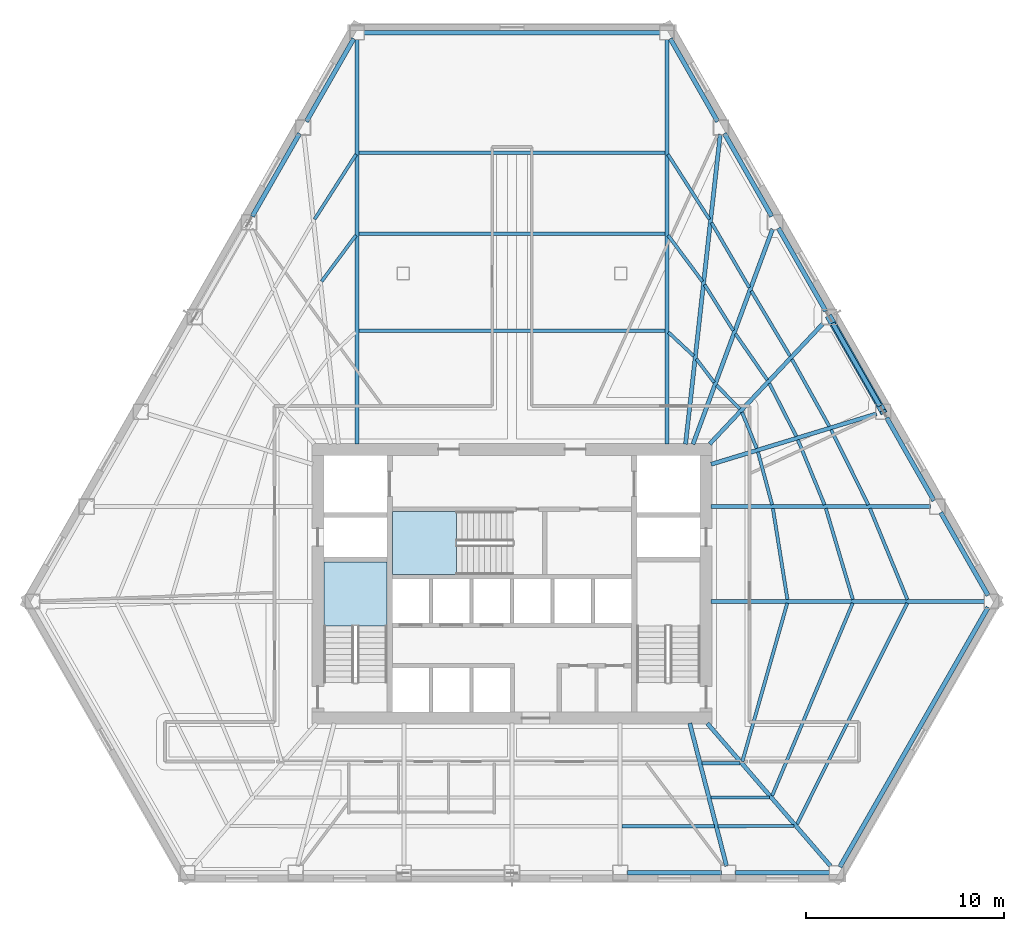
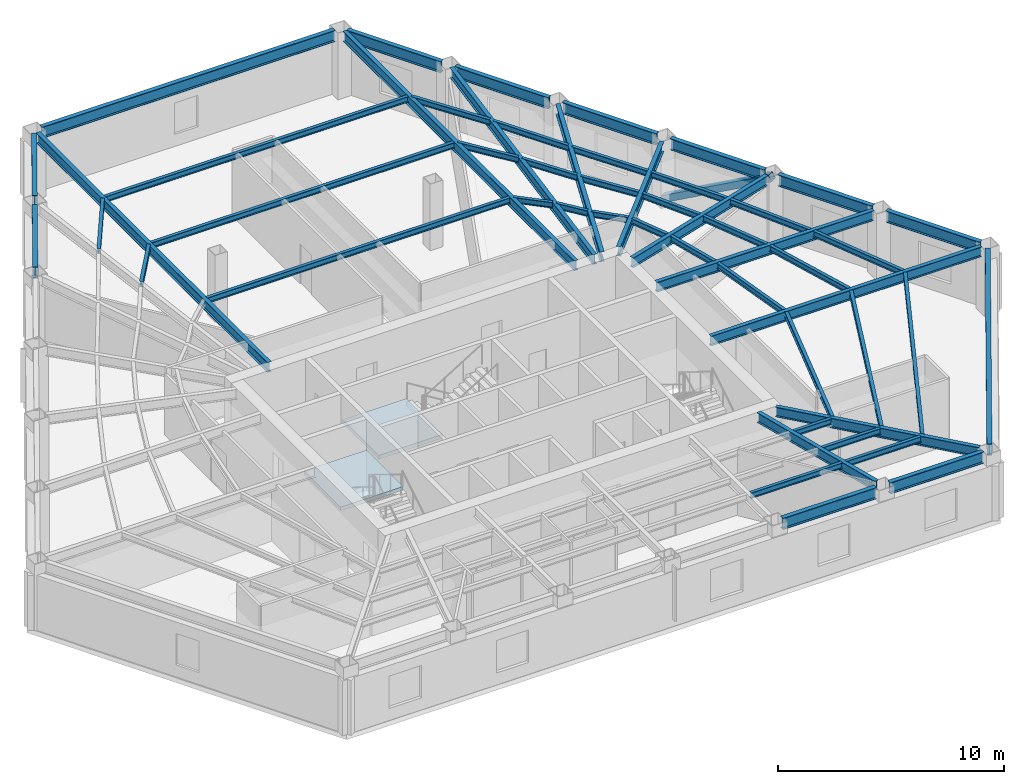
# One storey, part 2 of 11: 52 beams, 2 slabs, 1 member, 2 elements without a shape of their own.
"""IFC4 building model written with IfcOpenShell, lengths in metres."""

from ifc_helpers import new_model, si_unit, direction, frame, origin, origin_2d, place, context, subcontext, project, spatial, polyline, hollow_rectangle, i_section, outline, extrude, material, layer, layer_set, material_profile, profile_set, type_object, element, aggregate, save


model = new_model("IFC4")

# Units and contexts
model_context = context("Model", 3, precision=1e-05, world=origin(), true_north=direction((0.0, 1.0)))
body_context = subcontext(model_context, "Body", "Model", "MODEL_VIEW")
ifc_project = project(units=[si_unit("LENGTHUNIT", "METRE"), si_unit("AREAUNIT", "SQUARE_METRE"), si_unit("VOLUMEUNIT", "CUBIC_METRE"), si_unit("PLANEANGLEUNIT", "RADIAN"), si_unit("MASSUNIT", "GRAM", prefix="KILO")], contexts=[model_context])

# Site, building, storey
site_placement = place(None, origin())
site = spatial("IfcSite", under=ifc_project, at=site_placement, CompositionType="ELEMENT")
building_placement = place(site_placement, origin())
building = spatial("IfcBuilding", under=site, at=building_placement, Name="Kavelnor Concourse Tower", CompositionType="ELEMENT")
storey_placement = place(building_placement, frame((0.0, 0.0, 25.25)))
storey = spatial("IfcBuildingStorey", under=building, at=storey_placement, Name="L06", CompositionType="ELEMENT", Elevation=25.25)

# Beams
ifc_material_1 = material(Name="Steel Grade 350", Category="steel")
ifc_material_profile_1 = material_profile(ifc_material_1, i_section(OverallWidth=0.166015625, OverallDepth=0.306884765625, WebThickness=0.006591796875, FlangeThickness=0.01171875, at=origin_2d()), Name="310UB46")
ifc_profile_set_1 = profile_set([ifc_material_profile_1], Name="Steel Grade 350")
beam_type_1 = type_object("IfcBeamType", Name="BM-JOIST-310", PredefinedType="JOIST", material=ifc_profile_set_1)
beam_1_placement = place(storey_placement, frame((43.572998046875, 3.829345703125, 3.4365234375), z_axis=(0.999999994527, 0.000104618925, 0.0), x_axis=(-0.000104618925, 0.999999994527, 0.0)))
element("IfcBeam", 1, at=beam_1_placement, inside=storey, type_object=beam_type_1, Name="L06 Secondary Composite Joist 06-3", PredefinedType="JOIST", context=body_context, shape_type="SweptSolid", body=[
    extrude(i_section(OverallWidth=0.166015625, OverallDepth=0.306884765625, WebThickness=0.006591796875, FlangeThickness=0.01171875, at=origin_2d()), origin(), (0.0, 0.0, 1.0), 4.667236328125),
])
beam_2_placement = place(storey_placement, frame((47.616943359375, 7.012939453125, 3.4365234375), z_axis=(0.999998412912, -0.001781620995, 0.0), x_axis=(0.001781620995, 0.999998412912, 0.0)))
element("IfcBeam", 2, at=beam_2_placement, inside=storey, type_object=beam_type_1, Name="L06 Secondary Composite Joist 07-1", PredefinedType="JOIST", context=body_context, shape_type="SweptSolid", body=[
    extrude(i_section(OverallWidth=0.166015625, OverallDepth=0.306884765625, WebThickness=0.006591796875, FlangeThickness=0.01171875, at=origin_2d()), origin(), (0.0, 0.0, 1.0), 1.91845703125),
])
beam_3_placement = place(storey_placement, frame((48.064453125, 5.27685546875, 3.4365234375), z_axis=(0.999999996614, 8.2290981e-05, 0.0), x_axis=(-8.2290981e-05, 0.999999996614, 0.0)))
element("IfcBeam", 3, at=beam_3_placement, inside=storey, type_object=beam_type_1, Name="L06 Secondary Composite Joist 07-2", PredefinedType="JOIST", context=body_context, shape_type="SweptSolid", body=[
    extrude(i_section(OverallWidth=0.166015625, OverallDepth=0.306884765625, WebThickness=0.006591796875, FlangeThickness=0.01171875, at=origin_2d()), origin(), (0.0, 0.0, 1.0), 2.966796875),
])
beam_4_placement = place(storey_placement, frame((48.437255859375, 3.830078125, 3.4365234375), z_axis=(0.999999603933, 0.000890018719, 0.0), x_axis=(-0.000890018719, 0.999999603933, 0.0)))
element("IfcBeam", 4, at=beam_4_placement, inside=storey, type_object=beam_type_1, Name="L06 Secondary Composite Joist 07-3", PredefinedType="JOIST", context=body_context, shape_type="SweptSolid", body=[
    extrude(i_section(OverallWidth=0.166015625, OverallDepth=0.306884765625, WebThickness=0.006591796875, FlangeThickness=0.01171875, at=origin_2d()), origin(), (0.0, 0.0, 1.0), 3.84033203125),
])
beam_5_placement = place(storey_placement, frame((49.660888671875, 7.10400390625, 3.4365234375), z_axis=(0.27269037015, 0.962101845974, 0.0), x_axis=(-0.962101845974, 0.27269037015, 0.0)))
element("IfcBeam", 5, at=beam_5_placement, inside=storey, type_object=beam_type_1, Name="L06 Secondary Composite Joist 08-1", PredefinedType="JOIST", context=body_context, shape_type="SweptSolid", body=[
    extrude(i_section(OverallWidth=0.166015625, OverallDepth=0.306884765625, WebThickness=0.006591796875, FlangeThickness=0.01171875, at=origin_2d()), origin(), (0.0, 0.0, 1.0), 8.32275390625),
])
beam_6_placement = place(storey_placement, frame((51.167724609375, 5.367919921875, 3.4365234375), z_axis=(0.38570957059, 0.922620250783, 0.0), x_axis=(-0.922620250783, 0.38570957059, 0.0)))
element("IfcBeam", 6, at=beam_6_placement, inside=storey, type_object=beam_type_1, Name="L06 Secondary Composite Joist 08-2", PredefinedType="JOIST", context=body_context, shape_type="SweptSolid", body=[
    extrude(i_section(OverallWidth=0.166015625, OverallDepth=0.306884765625, WebThickness=0.006591796875, FlangeThickness=0.01171875, at=origin_2d()), origin(), (0.0, 0.0, 1.0), 10.564697265625),
])
beam_7_placement = place(storey_placement, frame((52.420166015625, 3.921630859375, 3.4365234375), z_axis=(0.446425153632, 0.894820977741, 0.0), x_axis=(-0.894820977741, 0.446425153632, 0.0)))
element("IfcBeam", 7, at=beam_7_placement, inside=storey, type_object=beam_type_1, Name="L06 Secondary Composite Joist 08-3", PredefinedType="JOIST", context=body_context, shape_type="SweptSolid", body=[
    extrude(i_section(OverallWidth=0.166015625, OverallDepth=0.306884765625, WebThickness=0.006591796875, FlangeThickness=0.01171875, at=origin_2d()), origin(), (0.0, 0.0, 1.0), 12.5126953125),
])
beam_8_placement = place(storey_placement, frame((51.941650390625, 15.303466796875, 3.4365234375), z_axis=(-0.157778022927, 0.98747460498, 0.0), x_axis=(-0.98747460498, -0.157778022927, 0.0)))
element("IfcBeam", 8, at=beam_8_placement, inside=storey, type_object=beam_type_1, Name="L06 Secondary Composite Joist 09-1", PredefinedType="JOIST", context=body_context, shape_type="SweptSolid", body=[
    extrude(i_section(OverallWidth=0.166015625, OverallDepth=0.306884765625, WebThickness=0.006591796875, FlangeThickness=0.01171875, at=origin_2d()), origin(), (0.0, 0.0, 1.0), 4.66064453125),
])
beam_9_placement = place(storey_placement, frame((55.252685546875, 15.300537109375, 3.4365234375), z_axis=(-0.284527543542, 0.958667865825, 0.0), x_axis=(-0.958667865825, -0.284527543542, 0.0)))
element("IfcBeam", 9, at=beam_9_placement, inside=storey, type_object=beam_type_1, Name="L06 Secondary Composite Joist 09-2", PredefinedType="JOIST", context=body_context, shape_type="SweptSolid", body=[
    extrude(i_section(OverallWidth=0.166015625, OverallDepth=0.306884765625, WebThickness=0.006591796875, FlangeThickness=0.01171875, at=origin_2d()), origin(), (0.0, 0.0, 1.0), 4.806884765625),
])
beam_10_placement = place(storey_placement, frame((58.0126953125, 15.29736328125, 3.4365234375), z_axis=(-0.380114739322, 0.924939341228, 0.0), x_axis=(-0.924939341228, -0.380114739322, 0.0)))
element("IfcBeam", 10, at=beam_10_placement, inside=storey, type_object=beam_type_1, Name="L06 Secondary Composite Joist 09-3", PredefinedType="JOIST", context=body_context, shape_type="SweptSolid", body=[
    extrude(i_section(OverallWidth=0.166015625, OverallDepth=0.306884765625, WebThickness=0.006591796875, FlangeThickness=0.01171875, at=origin_2d()), origin(), (0.0, 0.0, 1.0), 4.9892578125),
])
beam_11_placement = place(storey_placement, frame((51.165283203125, 20.09814453125, 3.4365234375), z_axis=(-0.259044050326, 0.965865508231, 0.0), x_axis=(-0.965865508231, -0.259044050326, 0.0)))
element("IfcBeam", 11, at=beam_11_placement, inside=storey, type_object=beam_type_1, Name="L06 Secondary Composite Joist 10-1", PredefinedType="JOIST", context=body_context, shape_type="SweptSolid", body=[
    extrude(i_section(OverallWidth=0.166015625, OverallDepth=0.306884765625, WebThickness=0.006591796875, FlangeThickness=0.01171875, at=origin_2d()), origin(), (0.0, 0.0, 1.0), 2.760498046875),
])
beam_12_placement = place(storey_placement, frame((53.819580078125, 20.09423828125, 3.4365234375), z_axis=(-0.379764488657, 0.925083203369, 0.0), x_axis=(-0.925083203369, -0.379764488657, 0.0)))
element("IfcBeam", 12, at=beam_12_placement, inside=storey, type_object=beam_type_1, Name="L06 Secondary Composite Joist 10-2", PredefinedType="JOIST", context=body_context, shape_type="SweptSolid", body=[
    extrude(i_section(OverallWidth=0.166015625, OverallDepth=0.306884765625, WebThickness=0.006591796875, FlangeThickness=0.01171875, at=origin_2d()), origin(), (0.0, 0.0, 1.0), 3.552490234375),
])
beam_13_placement = place(storey_placement, frame((56.03515625, 20.09130859375, 3.4365234375), z_axis=(-0.444127359241, 0.895963664873, 0.0), x_axis=(-0.895963664873, -0.444127359241, 0.0)))
element("IfcBeam", 13, at=beam_13_placement, inside=storey, type_object=beam_type_1, Name="L06 Secondary Composite Joist 10-3", PredefinedType="JOIST", context=body_context, shape_type="SweptSolid", body=[
    extrude(i_section(OverallWidth=0.166015625, OverallDepth=0.306884765625, WebThickness=0.006591796875, FlangeThickness=0.01171875, at=origin_2d()), origin(), (0.0, 0.0, 1.0), 4.24365234375),
])
beam_14_placement = place(storey_placement, frame((50.3876953125, 22.95068359375, 3.4365234375), z_axis=(-0.37688079029, 0.926261771807, 0.0), x_axis=(-0.926261771807, -0.37688079029, 0.0)))
element("IfcBeam", 14, at=beam_14_placement, inside=storey, type_object=beam_type_1, Name="L06 Secondary Composite Joist 11-1", PredefinedType="JOIST", context=body_context, shape_type="SweptSolid", body=[
    extrude(i_section(OverallWidth=0.166015625, OverallDepth=0.306884765625, WebThickness=0.006591796875, FlangeThickness=0.01171875, at=origin_2d()), origin(), (0.0, 0.0, 1.0), 1.975830078125),
])
beam_15_placement = place(storey_placement, frame((52.388427734375, 23.559326171875, 3.4365234375), z_axis=(-0.45359286798, 0.891209015954, 0.0), x_axis=(-0.891209015954, -0.45359286798, 0.0)))
element("IfcBeam", 15, at=beam_15_placement, inside=storey, type_object=beam_type_1, Name="L06 Secondary Composite Joist 11-2", PredefinedType="JOIST", context=body_context, shape_type="SweptSolid", body=[
    extrude(i_section(OverallWidth=0.166015625, OverallDepth=0.306884765625, WebThickness=0.006591796875, FlangeThickness=0.01171875, at=origin_2d()), origin(), (0.0, 0.0, 1.0), 3.01025390625),
])
beam_16_placement = place(storey_placement, frame((54.058837890625, 24.06787109375, 3.4365234375), z_axis=(-0.486646615233, 0.873598919346, 0.0), x_axis=(-0.873598919346, -0.486646615233, 0.0)))
element("IfcBeam", 16, at=beam_16_placement, inside=storey, type_object=beam_type_1, Name="L06 Secondary Composite Joist 11-3", PredefinedType="JOIST", context=body_context, shape_type="SweptSolid", body=[
    extrude(i_section(OverallWidth=0.166015625, OverallDepth=0.306884765625, WebThickness=0.006591796875, FlangeThickness=0.01171875, at=origin_2d()), origin(), (0.0, 0.0, 1.0), 3.881591796875),
])
beam_17_placement = place(storey_placement, frame((49.536865234375, 24.942138671875, 3.4365234375), z_axis=(-0.701128879379, 0.713034567536, 0.0), x_axis=(-0.713034567536, -0.701128879379, 0.0)))
element("IfcBeam", 17, at=beam_17_placement, inside=storey, type_object=beam_type_1, Name="L06 Secondary Composite Joist 12-1", PredefinedType="JOIST", context=body_context, shape_type="SweptSolid", body=[
    extrude(i_section(OverallWidth=0.166015625, OverallDepth=0.306884765625, WebThickness=0.006591796875, FlangeThickness=0.01171875, at=origin_2d()), origin(), (0.0, 0.0, 1.0), 1.681396484375),
])
beam_18_placement = place(storey_placement, frame((50.92236328125, 26.410888671875, 3.4365234375), z_axis=(-0.568219875212, 0.822876766846, 0.0), x_axis=(-0.822876766846, -0.568219875212, 0.0)))
element("IfcBeam", 18, at=beam_18_placement, inside=storey, type_object=beam_type_1, Name="L06 Secondary Composite Joist 12-2", PredefinedType="JOIST", context=body_context, shape_type="SweptSolid", body=[
    extrude(i_section(OverallWidth=0.166015625, OverallDepth=0.306884765625, WebThickness=0.006591796875, FlangeThickness=0.01171875, at=origin_2d()), origin(), (0.0, 0.0, 1.0), 2.8349609375),
])
beam_19_placement = place(storey_placement, frame((52.071533203125, 27.62939453125, 3.4365234375), z_axis=(-0.511989436701, 0.85899174426, 0.0), x_axis=(-0.85899174426, -0.511989436701, 0.0)))
element("IfcBeam", 19, at=beam_19_placement, inside=storey, type_object=beam_type_1, Name="L06 Secondary Composite Joist 12-3", PredefinedType="JOIST", context=body_context, shape_type="SweptSolid", body=[
    extrude(i_section(OverallWidth=0.166015625, OverallDepth=0.306884765625, WebThickness=0.006591796875, FlangeThickness=0.01171875, at=origin_2d()), origin(), (0.0, 0.0, 1.0), 3.828125),
])
beam_20_placement = place(storey_placement, frame((48.2294921875, 26.289794921875, 3.4365234375), z_axis=(-0.602679585657, 0.797983281173, 0.0), x_axis=(-0.797983281173, -0.602679585657, 0.0)))
element("IfcBeam", 20, at=beam_20_placement, inside=storey, type_object=beam_type_1, Name="L06 Secondary Composite Joist 13-1", PredefinedType="JOIST", context=body_context, shape_type="SweptSolid", body=[
    extrude(i_section(OverallWidth=0.166015625, OverallDepth=0.306884765625, WebThickness=0.006591796875, FlangeThickness=0.01171875, at=origin_2d()), origin(), (0.0, 0.0, 1.0), 1.485107421875),
])
beam_21_placement = place(storey_placement, frame((49.203369140625, 28.908203125, 3.4365234375), z_axis=(-0.529990944069, 0.848003301412, 0.0), x_axis=(-0.848003301412, -0.529990944069, 0.0)))
element("IfcBeam", 21, at=beam_21_placement, inside=storey, type_object=beam_type_1, Name="L06 Secondary Composite Joist 13-2", PredefinedType="JOIST", context=body_context, shape_type="SweptSolid", body=[
    extrude(i_section(OverallWidth=0.166015625, OverallDepth=0.306884765625, WebThickness=0.006591796875, FlangeThickness=0.01171875, at=origin_2d()), origin(), (0.0, 0.0, 1.0), 2.74462890625),
])
beam_22_placement = place(storey_placement, frame((50.011474609375, 31.08740234375, 3.4365234375), z_axis=(-0.503479668379, 0.864007073772, 0.0), x_axis=(-0.864007073772, -0.503479668379, 0.0)))
element("IfcBeam", 22, at=beam_22_placement, inside=storey, type_object=beam_type_1, Name="L06 Secondary Composite Joist 13-3", PredefinedType="JOIST", context=body_context, shape_type="SweptSolid", body=[
    extrude(i_section(OverallWidth=0.166015625, OverallDepth=0.306884765625, WebThickness=0.006591796875, FlangeThickness=0.01171875, at=origin_2d()), origin(), (0.0, 0.0, 1.0), 3.8017578125),
])
beam_23_placement = place(storey_placement, frame((47.203125, 27.62060546875, 3.4365234375), z_axis=(-0.730182552933, 0.683252105297, 0.0), x_axis=(-0.683252105297, -0.730182552933, 0.0)))
element("IfcBeam", 23, at=beam_23_placement, inside=storey, type_object=beam_type_1, Name="L06 Secondary Composite Joist 14-1", PredefinedType="JOIST", context=body_context, shape_type="SweptSolid", body=[
    extrude(i_section(OverallWidth=0.166015625, OverallDepth=0.306884765625, WebThickness=0.006591796875, FlangeThickness=0.01171875, at=origin_2d()), origin(), (0.0, 0.0, 1.0), 1.768798828125),
])
beam_24_placement = place(storey_placement, frame((47.6376953125, 31.398193359375, 3.4365234375), z_axis=(-0.597166328118, 0.80211743315, 0.0), x_axis=(-0.80211743315, -0.597166328118, 0.0)))
element("IfcBeam", 24, at=beam_24_placement, inside=storey, type_object=beam_type_1, Name="L06 Secondary Composite Joist 14-2", PredefinedType="JOIST", context=body_context, shape_type="SweptSolid", body=[
    extrude(i_section(OverallWidth=0.166015625, OverallDepth=0.306884765625, WebThickness=0.006591796875, FlangeThickness=0.01171875, at=origin_2d()), origin(), (0.0, 0.0, 1.0), 2.91259765625),
])
beam_25_placement = place(storey_placement, frame((47.99462890625, 34.5400390625, 3.4365234375), z_axis=(-0.53861510592, 0.842551937672, 0.0), x_axis=(-0.842551937672, -0.53861510592, 0.0)))
element("IfcBeam", 25, at=beam_25_placement, inside=storey, type_object=beam_type_1, Name="L06 Secondary Composite Joist 14-3", PredefinedType="JOIST", context=body_context, shape_type="SweptSolid", body=[
    extrude(i_section(OverallWidth=0.166015625, OverallDepth=0.306884765625, WebThickness=0.006591796875, FlangeThickness=0.01171875, at=origin_2d()), origin(), (0.0, 0.0, 1.0), 3.90234375),
])
for number, where, z_axis, x_axis, name in (
    (26, (45.7412109375, 28.896484375, 3.4365234375), (-1.0, 0.0, 0.0), (0.0, -1.0, 0.0), "L06 Secondary Composite Joist 15-1"),
    (27, (45.7412109375, 33.8134765625, 3.4365234375), (-1.0, 0.0, 0.0), (0.0, -1.0, 0.0), "L06 Secondary Composite Joist 15-2"),
    (28, (45.7412109375, 37.910888671875, 3.4365234375), (-1.0, 0.0, 0.0), (0.0, -1.0, 0.0), "L06 Secondary Composite Joist 15-3"),
):
    element("IfcBeam", number, at=place(storey_placement, frame(where, z_axis=z_axis, x_axis=x_axis)), inside=storey, type_object=beam_type_1, Name=name, PredefinedType="JOIST", context=body_context, shape_type="SweptSolid", body=[
        extrude(i_section(OverallWidth=0.166015625, OverallDepth=0.306884765625, WebThickness=0.006591796875, FlangeThickness=0.01171875, at=origin_2d()), origin(), (0.0, 0.0, 1.0), 15.482421875),
    ])
beam_26_placement = place(storey_placement, frame((30.1015625, 33.734375, 3.4365234375), z_axis=(-0.597166328118, -0.80211743315, 0.0), x_axis=(0.80211743315, -0.597166328118, 0.0)))
element("IfcBeam", 29, at=beam_26_placement, inside=storey, type_object=beam_type_1, Name="L06 Secondary Composite Joist 16-2", PredefinedType="JOIST", context=body_context, shape_type="SweptSolid", body=[
    extrude(i_section(OverallWidth=0.166015625, OverallDepth=0.306884765625, WebThickness=0.006591796875, FlangeThickness=0.01171875, at=origin_2d()), origin(), (0.0, 0.0, 1.0), 2.91259765625),
])
beam_27_placement = place(storey_placement, frame((30.107177734375, 37.827880859375, 3.4365234375), z_axis=(-0.538659517603, -0.842523545129, 0.0), x_axis=(0.842523545129, -0.538659517603, 0.0)))
element("IfcBeam", 30, at=beam_27_placement, inside=storey, type_object=beam_type_1, Name="L06 Secondary Composite Joist 16-3", PredefinedType="JOIST", context=body_context, shape_type="SweptSolid", body=[
    extrude(i_section(OverallWidth=0.166015625, OverallDepth=0.306884765625, WebThickness=0.006591796875, FlangeThickness=0.01171875, at=origin_2d()), origin(), (0.0, 0.0, 1.0), 3.90234375),
])
ifc_material_profile_2 = material_profile(ifc_material_1, i_section(OverallWidth=0.208984375, OverallDepth=0.528076171875, WebThickness=0.009521484375, FlangeThickness=0.01318359375, at=origin_2d()), Name="530UB82")
ifc_profile_set_2 = profile_set([ifc_material_profile_2], Name="Steel Grade 350")
beam_type_2 = type_object("IfcBeamType", Name="BM-PRIMARY-530", PredefinedType="BEAM", material=ifc_profile_set_2)
beam_28_placement = place(storey_placement, frame((30.160400390625, 23.159912109375, 3.325927734375), z_axis=(0.0, 1.0, 0.0), x_axis=(-1.0, 0.0, 0.0)))
element("IfcBeam", 31, at=beam_28_placement, inside=storey, type_object=beam_type_2, Name="L06 Primary Floor Girder F0-B0", PredefinedType="BEAM", context=body_context, shape_type="SweptSolid", body=[
    extrude(i_section(OverallWidth=0.208984375, OverallDepth=0.528076171875, WebThickness=0.009521484375, FlangeThickness=0.01318359375, at=origin_2d()), origin(), (0.0, 0.0, 1.0), 20.487548828125),
])
beam_29_placement = place(storey_placement, frame((46.99658203125, 9.038818359375, 3.325927734375), z_axis=(0.249534064599, -0.968366020988, 0.0), x_axis=(0.968366020988, 0.249534064599, 0.0)))
element("IfcBeam", 32, at=beam_29_placement, inside=storey, type_object=beam_type_2, Name="L06 Primary Floor Girder F1-B5", PredefinedType="BEAM", context=body_context, shape_type="SweptSolid", body=[
    extrude(i_section(OverallWidth=0.208984375, OverallDepth=0.528076171875, WebThickness=0.009521484375, FlangeThickness=0.01318359375, at=origin_2d()), origin(), (0.0, 0.0, 1.0), 7.470947265625),
])
beam_30_placement = place(storey_placement, frame((47.888916015625, 9.0302734375, 3.325927734375), z_axis=(0.653538546599, -0.756893234287, 0.0), x_axis=(0.756893234287, 0.653538546599, 0.0)))
element("IfcBeam", 33, at=beam_30_placement, inside=storey, type_object=beam_type_2, Name="L06 Primary Floor Girder F1-B6", PredefinedType="BEAM", context=body_context, shape_type="SweptSolid", body=[
    extrude(i_section(OverallWidth=0.208984375, OverallDepth=0.528076171875, WebThickness=0.009521484375, FlangeThickness=0.01318359375, at=origin_2d()), origin(), (0.0, 0.0, 1.0), 9.5361328125),
])
beam_31_placement = place(storey_placement, frame((48.080078125, 15.206298828125, 3.325927734375), z_axis=(1.0, 0.0, 0.0), x_axis=(0.0, 1.0, 0.0)))
element("IfcBeam", 34, at=beam_31_placement, inside=storey, type_object=beam_type_2, Name="L06 Primary Floor Girder F2-B0", PredefinedType="BEAM", context=body_context, shape_type="SweptSolid", body=[
    extrude(i_section(OverallWidth=0.208984375, OverallDepth=0.528076171875, WebThickness=0.009521484375, FlangeThickness=0.01318359375, at=origin_2d()), origin(), (0.0, 0.0, 1.0), 13.847412109375),
])
beam_32_placement = place(storey_placement, frame((48.080078125, 20.003173828125, 3.325927734375), z_axis=(1.0, 0.0, 0.0), x_axis=(0.0, 1.0, 0.0)))
element("IfcBeam", 35, at=beam_32_placement, inside=storey, type_object=beam_type_2, Name="L06 Primary Floor Girder F2-B1", PredefinedType="BEAM", context=body_context, shape_type="SweptSolid", body=[
    extrude(i_section(OverallWidth=0.208984375, OverallDepth=0.528076171875, WebThickness=0.009521484375, FlangeThickness=0.01318359375, at=origin_2d()), origin(), (0.0, 0.0, 1.0), 11.109375),
])
beam_33_placement = place(storey_placement, frame((48.081787109375, 22.1455078125, 3.325927734375), z_axis=(0.956561257848, 0.291531404799, 0.0), x_axis=(-0.291531404799, 0.956561257848, 0.0)))
element("IfcBeam", 36, at=beam_33_placement, inside=storey, type_object=beam_type_2, Name="L06 Primary Floor Girder F2-B2", PredefinedType="BEAM", context=body_context, shape_type="SweptSolid", body=[
    extrude(i_section(OverallWidth=0.208984375, OverallDepth=0.528076171875, WebThickness=0.009521484375, FlangeThickness=0.01318359375, at=origin_2d()), origin(), (0.0, 0.0, 1.0), 8.747802734375),
])
beam_34_placement = place(storey_placement, frame((48.004638671875, 23.1708984375, 3.325927734375), z_axis=(0.685437716823, 0.728131263136, 0.0), x_axis=(-0.728131263136, 0.685437716823, 0.0)))
element("IfcBeam", 37, at=beam_34_placement, inside=storey, type_object=beam_type_2, Name="L06 Primary Floor Girder F2-B3", PredefinedType="BEAM", context=body_context, shape_type="SweptSolid", body=[
    extrude(i_section(OverallWidth=0.208984375, OverallDepth=0.528076171875, WebThickness=0.009521484375, FlangeThickness=0.01318359375, at=origin_2d()), origin(), (0.0, 0.0, 1.0), 8.34326171875),
])
beam_35_placement = place(storey_placement, frame((47.160888671875, 23.16259765625, 3.325927734375), z_axis=(0.346953391469, 0.937882372235, 0.0), x_axis=(-0.937882372235, 0.346953391469, 0.0)))
element("IfcBeam", 38, at=beam_35_placement, inside=storey, type_object=beam_type_2, Name="L06 Primary Floor Girder F2-B4", PredefinedType="BEAM", context=body_context, shape_type="SweptSolid", body=[
    extrude(i_section(OverallWidth=0.208984375, OverallDepth=0.528076171875, WebThickness=0.009521484375, FlangeThickness=0.01318359375, at=origin_2d()), origin(), (0.0, 0.0, 1.0), 11.60986328125),
])
beam_36_placement = place(storey_placement, frame((46.783447265625, 23.16015625, 3.325927734375), z_axis=(0.111229182439, 0.993794782123, 0.0), x_axis=(-0.993794782123, 0.111229182439, 0.0)))
element("IfcBeam", 39, at=beam_36_placement, inside=storey, type_object=beam_type_2, Name="L06 Primary Floor Girder F2-B5", PredefinedType="BEAM", context=body_context, shape_type="SweptSolid", body=[
    extrude(i_section(OverallWidth=0.208984375, OverallDepth=0.528076171875, WebThickness=0.009521484375, FlangeThickness=0.01318359375, at=origin_2d()), origin(), (0.0, 0.0, 1.0), 15.7880859375),
])
beam_37_placement = place(storey_placement, frame((45.839599609375, 23.159912109375, 3.325927734375), z_axis=(0.0, 1.0, 0.0), x_axis=(-1.0, 0.0, 0.0)))
element("IfcBeam", 40, at=beam_37_placement, inside=storey, type_object=beam_type_2, Name="L06 Primary Floor Girder F2-B6", PredefinedType="BEAM", context=body_context, shape_type="SweptSolid", body=[
    extrude(i_section(OverallWidth=0.208984375, OverallDepth=0.528076171875, WebThickness=0.009521484375, FlangeThickness=0.01318359375, at=origin_2d()), origin(), (0.0, 0.0, 1.0), 20.487548828125),
])
ifc_material_profile_3 = material_profile(ifc_material_1, i_section(OverallWidth=0.22900390625, OverallDepth=0.612060546875, WebThickness=0.011962890625, FlangeThickness=0.01953125, at=origin_2d()), Name="610UB125")
ifc_profile_set_3 = profile_set([ifc_material_profile_3], Name="Steel Grade 350")
beam_type_3 = type_object("IfcBeamType", Name="BM-SPANDREL-Z1", PredefinedType="SPANDREL", material=ifc_profile_set_3)
beam_38_placement = place(storey_placement, frame((29.9892578125, 43.687744140625, 3.283935546875), z_axis=(-0.49571458703, -0.868485491074, 0.0), x_axis=(0.868485491074, -0.49571458703, 0.0)))
element("IfcBeam", 41, at=beam_38_placement, inside=storey, type_object=beam_type_3, Name="L06 Perimeter Tube Spandrel Beam F0-B0", PredefinedType="SPANDREL", context=body_context, shape_type="SweptSolid", body=[
    extrude(i_section(OverallWidth=0.22900390625, OverallDepth=0.612060546875, WebThickness=0.011962890625, FlangeThickness=0.01953125, at=origin_2d()), origin(), (0.0, 0.0, 1.0), 4.83349609375),
])
beam_39_placement = place(storey_placement, frame((27.251220703125, 38.890869140625, 3.283935546875), z_axis=(-0.495698233087, -0.868494825381, 0.0), x_axis=(0.868494825381, -0.495698233087, 0.0)))
element("IfcBeam", 42, at=beam_39_placement, inside=storey, type_object=beam_type_3, Name="L06 Perimeter Tube Spandrel Beam F0-B1", PredefinedType="SPANDREL", context=body_context, shape_type="SweptSolid", body=[
    extrude(i_section(OverallWidth=0.22900390625, OverallDepth=0.612060546875, WebThickness=0.011962890625, FlangeThickness=0.01953125, at=origin_2d()), origin(), (0.0, 0.0, 1.0), 4.8330078125),
])
beam_40_placement = place(storey_placement, frame((45.49462890625, 43.9873046875, 3.283935546875), z_axis=(-1.0, 0.0, 0.0), x_axis=(0.0, -1.0, 0.0)))
element("IfcBeam", 43, at=beam_40_placement, inside=storey, type_object=beam_type_3, Name="L06 Chamfer Facet Spandrel Beam C0", PredefinedType="SPANDREL", context=body_context, shape_type="SweptSolid", body=[
    extrude(i_section(OverallWidth=0.22900390625, OverallDepth=0.612060546875, WebThickness=0.011962890625, FlangeThickness=0.01953125, at=origin_2d()), origin(), (0.0, 0.0, 1.0), 14.9892578125),
])
for number, where, z_axis, x_axis, name in (
    (44, (43.8193359375, 1.462890625, 3.283935546875), (1.0, 0.0, 0.0), (0.0, 1.0, 0.0), "L06 Perimeter Tube Spandrel Beam F1-B4"),
    (45, (49.293701171875, 1.462890625, 3.283935546875), (1.0, 0.0, 0.0), (0.0, 1.0, 0.0), "L06 Perimeter Tube Spandrel Beam F1-B5"),
):
    element("IfcBeam", number, at=place(storey_placement, frame(where, z_axis=z_axis, x_axis=x_axis)), inside=storey, type_object=beam_type_3, Name=name, PredefinedType="SPANDREL", context=body_context, shape_type="SweptSolid", body=[
        extrude(i_section(OverallWidth=0.22900390625, OverallDepth=0.612060546875, WebThickness=0.011962890625, FlangeThickness=0.01953125, at=origin_2d()), origin(), (0.0, 0.0, 1.0), 4.784423828125),
    ])
beam_41_placement = place(storey_placement, frame((62.096435546875, 15.505859375, 3.283935546875), z_axis=(-0.49571458703, 0.868485491074, 0.0), x_axis=(-0.868485491074, -0.49571458703, 0.0)))
element("IfcBeam", 46, at=beam_41_placement, inside=storey, type_object=beam_type_3, Name="L06 Perimeter Tube Spandrel Beam F2-B0", PredefinedType="SPANDREL", context=body_context, shape_type="SweptSolid", body=[
    extrude(i_section(OverallWidth=0.22900390625, OverallDepth=0.612060546875, WebThickness=0.011962890625, FlangeThickness=0.01953125, at=origin_2d()), origin(), (0.0, 0.0, 1.0), 4.83349609375),
])
for number, where, z_axis, x_axis, name in (
    (47, (59.3583984375, 20.302734375, 3.283935546875), (-0.495736333855, 0.868473078049, 0.0), (-0.868473078049, -0.495736333855, 0.0), "L06 Perimeter Tube Spandrel Beam F2-B1"),
    (48, (56.62060546875, 25.099609375, 3.283935546875), (-0.495736333855, 0.868473078049, 0.0), (-0.868473078049, -0.495736333855, 0.0), "L06 Perimeter Tube Spandrel Beam F2-B2"),
    (49, (53.882568359375, 29.896484375, 3.283935546875), (-0.495736333855, 0.868473078049, 0.0), (-0.868473078049, -0.495736333855, 0.0), "L06 Perimeter Tube Spandrel Beam F2-B3"),
    (50, (51.14453125, 34.693359375, 3.283935546875), (-0.495736333855, 0.868473078049, 0.0), (-0.868473078049, -0.495736333855, 0.0), "L06 Perimeter Tube Spandrel Beam F2-B4"),
    (51, (48.406494140625, 39.489990234375, 3.283935546875), (-0.495676486845, 0.868507236809, 0.0), (-0.868507236809, -0.495676486845, 0.0), "L06 Perimeter Tube Spandrel Beam F2-B5"),
):
    element("IfcBeam", number, at=place(storey_placement, frame(where, z_axis=z_axis, x_axis=x_axis)), inside=storey, type_object=beam_type_3, Name=name, PredefinedType="SPANDREL", context=body_context, shape_type="SweptSolid", body=[
        extrude(i_section(OverallWidth=0.22900390625, OverallDepth=0.612060546875, WebThickness=0.011962890625, FlangeThickness=0.01953125, at=origin_2d()), origin(), (0.0, 0.0, 1.0), 4.833251953125),
    ])
beam_42_placement = place(storey_placement, frame((54.593994140625, 1.762451171875, 3.283935546875), z_axis=(0.495718470628, 0.86848327438, 0.0), x_axis=(-0.86848327438, 0.495718470628, 0.0)))
element("IfcBeam", 52, at=beam_42_placement, inside=storey, type_object=beam_type_3, Name="L06 Chamfer Facet Spandrel Beam C2", PredefinedType="SPANDREL", context=body_context, shape_type="SweptSolid", body=[
    extrude(i_section(OverallWidth=0.22900390625, OverallDepth=0.612060546875, WebThickness=0.011962890625, FlangeThickness=0.01953125, at=origin_2d()), origin(), (0.0, 0.0, 1.0), 15.134521484375),
])

# Member
ifc_material_profile_4 = material_profile(ifc_material_1, hollow_rectangle(XDim=0.35009765625, YDim=0.35009765625, WallThickness=0.02001953125, at=origin_2d()), Name="SHS 350x350x20")
ifc_profile_set_4 = profile_set([ifc_material_profile_4], Name="Steel Grade 350")
member_type = type_object("IfcMemberType", Name="MBR-TUBE-DIAG-Z1", PredefinedType="BRACE", material=ifc_profile_set_4)
member_placement = place(storey_placement, frame((54.0537109375, 29.5966796875, 0.219970703125), z_axis=(0.433461045706, -0.759465188696, 0.48510220471), x_axis=(0.868498723635, 0.495691403036, 0.0)))
element("IfcMember", 53, at=member_placement, inside=storey, type_object=member_type, Name="L06 Framed-Tube Bracing Diagonal F2-B2", PredefinedType="BRACE", context=body_context, shape_type="SweptSolid", body=[
    extrude(hollow_rectangle(XDim=0.35009765625, YDim=0.35009765625, WallThickness=0.02001953125, at=origin_2d()), origin(), (0.0, 0.0, 1.0), 6.316162109375),
])

# Stair, slab
ifc_material_2 = material(Name="Concrete C40/50", Category="concrete")
stair_type = type_object("IfcStairType", Name="STR-CORE-1500", PredefinedType="HALF_TURN_STAIR", material=ifc_material_2)
stair_1_placement = place(storey_placement, origin())
stair_1 = element("IfcStair", 54, at=stair_1_placement, inside=storey, type_object=stair_type, Name="L06 ST1", PredefinedType="HALF_TURN_STAIR")
ifc_layer = layer(ifc_material_2, 0.199951171875, Name="Concrete C40/50")
ifc_layer_set = layer_set([ifc_layer], Name="Concrete C40/50")
slab_type = type_object("IfcSlabType", Name="SLB-LANDING-200", PredefinedType="LANDING", material=ifc_layer_set)
slab_1_placement = place(storey_placement, frame((0.0, 0.0, 1.72509765625)))
slab_1 = element("IfcSlab", 55, at=slab_1_placement, type_object=slab_type, Name="ST1 landing 1", PredefinedType="LANDING", context=body_context, shape_type="SweptSolid", body=[
    extrude(outline(polyline([(31.679931640625, 13.949951171875), (31.679931640625, 17.199951171875), (28.47998046875, 17.199951171875), (28.47998046875, 13.949951171875), (31.679931640625, 13.949951171875)])), origin(), (0.0, 0.0, 1.0), 0.199951171875),
])
aggregate(stair_1, [slab_1])

stair_2_placement = place(storey_placement, origin())
stair_2 = element("IfcStair", 56, at=stair_2_placement, inside=storey, type_object=stair_type, Name="L06 ST3", PredefinedType="HALF_TURN_STAIR")
slab_2_placement = place(storey_placement, frame((0.0, 0.0, 1.72509765625)))
slab_2 = element("IfcSlab", 57, at=slab_2_placement, type_object=slab_type, Name="ST3 landing 1", PredefinedType="LANDING", context=body_context, shape_type="SweptSolid", body=[
    extrude(outline(polyline([(35.18994140625, 19.760009765625), (31.93994140625, 19.760009765625), (31.93994140625, 16.56005859375), (35.18994140625, 16.56005859375), (35.18994140625, 19.760009765625)])), origin(), (0.0, 0.0, 1.0), 0.199951171875),
])
aggregate(stair_2, [slab_2])

save(model, "model.ifc")
